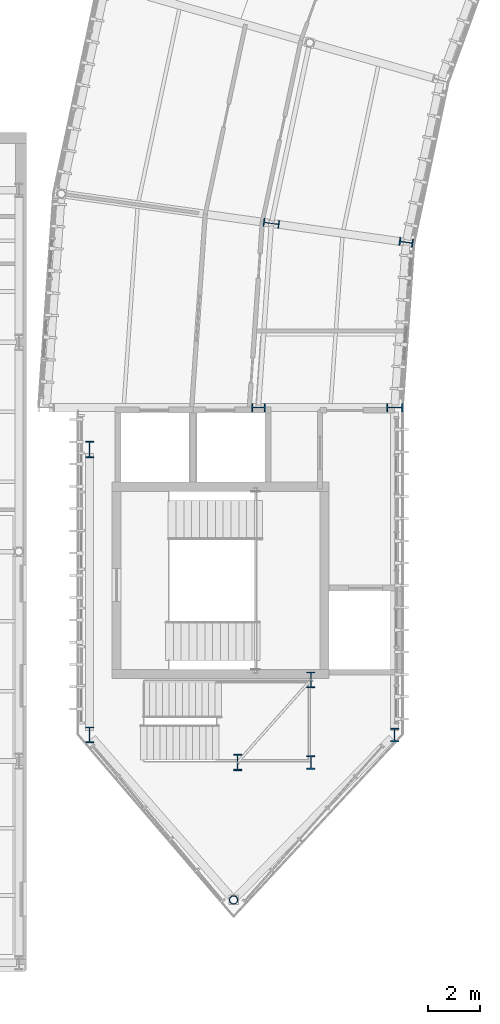
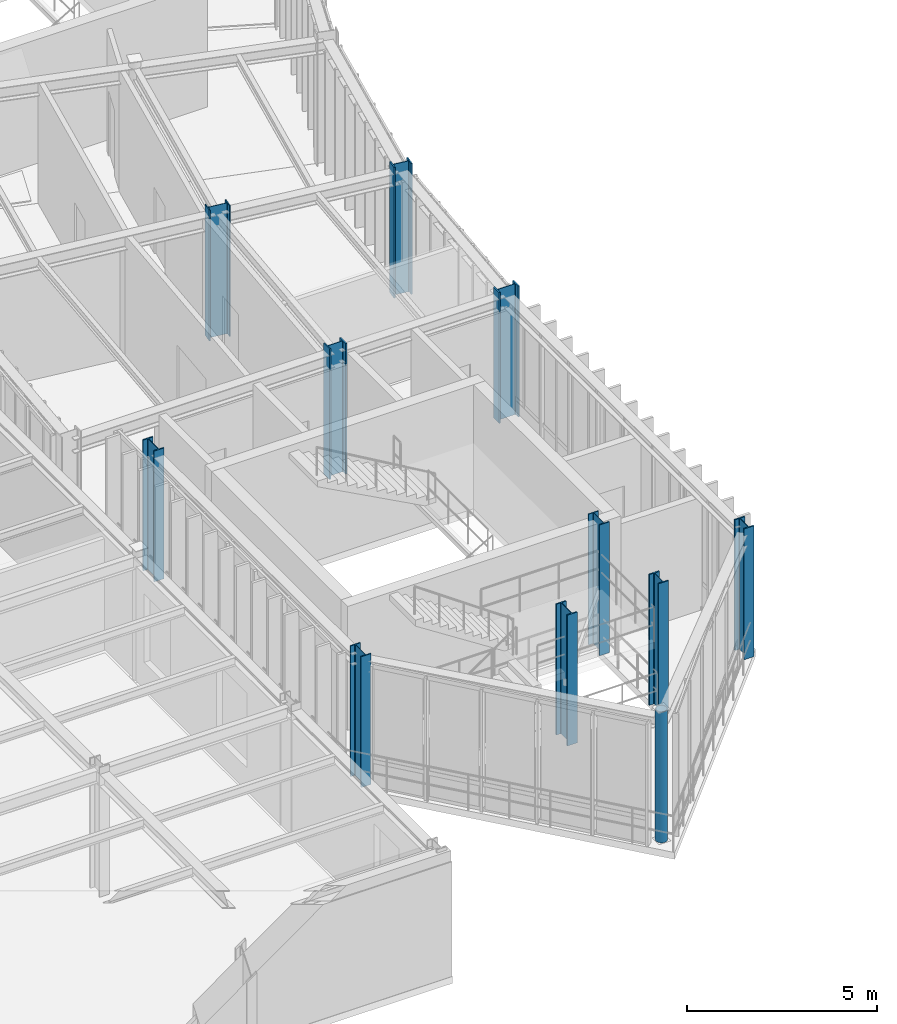
# One storey, part 2 of 148: 11 columns.
"""IFC4 building model written with IfcOpenShell, lengths in metres."""

from ifc_helpers import new_model, si_unit, direction, frame, origin, origin_2d, place, context, subcontext, project, spatial, hollow_circle, i_section, extrude, material, material_profile, profile_set, type_object, element, save


model = new_model("IFC4")

# Units and contexts
model_context = context("Model", 3, precision=1e-05, world=origin(), true_north=direction((0.0, 1.0)))
body_context = subcontext(model_context, "Body", "Model", "MODEL_VIEW")
ifc_project = project(units=[si_unit("LENGTHUNIT", "METRE"), si_unit("AREAUNIT", "SQUARE_METRE"), si_unit("VOLUMEUNIT", "CUBIC_METRE"), si_unit("PLANEANGLEUNIT", "RADIAN"), si_unit("MASSUNIT", "GRAM", prefix="KILO"), si_unit("THERMODYNAMICTEMPERATUREUNIT", "KELVIN"), si_unit("POWERUNIT", "WATT")], contexts=[model_context])

# Site, building, storey
site_placement = place(None, origin())
site = spatial("IfcSite", under=ifc_project, at=site_placement, CompositionType="ELEMENT")
building_placement = place(site_placement, origin())
building = spatial("IfcBuilding", under=site, at=building_placement, Name="Solvatero Civic Police Headquarters", CompositionType="ELEMENT")
storey_placement = place(building_placement, frame((0.0, 0.0, 5.10009765625)))
storey = spatial("IfcBuildingStorey", under=building, at=storey_placement, Name="L01", CompositionType="ELEMENT", Elevation=5.10009765625)

# Columns
ifc_material = material(Name="Steel S355", Category="steel")
ifc_material_profile_1 = material_profile(ifc_material, hollow_circle(Radius=0.161865234375, WallThickness=0.01611328125, at=origin_2d()), Name="CHS 323.9x16.0")
ifc_profile_set_1 = profile_set([ifc_material_profile_1], Name="Steel S355")
column_type_1 = type_object("IfcColumnType", Name="COL-ST-CHS324", PredefinedType="COLUMN", material=ifc_profile_set_1)
column_placement = place(storey_placement, frame((42.5, 7.199951171875, 0.0), z_axis=(0.0, 0.0, 1.0), x_axis=(1.0, 0.0, 0.0)))
element("IfcColumn", 1, at=column_placement, inside=storey, type_object=column_type_1, Name="Column PROW-TIP L01", PredefinedType="COLUMN", context=body_context, shape_type="SweptSolid", body=[
    extrude(hollow_circle(Radius=0.161865234375, WallThickness=0.01611328125, at=origin_2d()), origin(), (0.0, 0.0, 1.0), 4.199951171875),
])
ifc_material_profile_2 = material_profile(ifc_material, i_section(OverallWidth=0.300048828125, OverallDepth=0.60009765625, WebThickness=0.015380859375, FlangeThickness=0.030029296875, FilletRadius=0.027099609375, at=origin_2d()), Name="HEB 600")
ifc_profile_set_2 = profile_set([ifc_material_profile_2], Name="Steel S355")
column_type_2 = type_object("IfcColumnType", Name="COL-ST-HEB600", PredefinedType="COLUMN", material=ifc_profile_set_2)
for number, where, z_axis, x_axis, name in (
    (2, (43.94189453125, 33.03515625, 0.0), (0.0, 0.0, 1.0), (0.13917310096, 0.990268068742, 0.0), "Column ARC-S11-MID L01"),
    (3, (37.0, 13.5, 0.0), (0.0, 0.0, 1.0), (1.0, 0.0, 0.0), "Column PROW-SW L01"),
    (4, (45.449951171875, 15.60009765625, 0.0), (0.0, 0.0, 1.0), (1.0, 0.0, 0.0), "Column PRWS3 L01"),
):
    element("IfcColumn", number, at=place(storey_placement, frame(where, z_axis=z_axis, x_axis=x_axis)), inside=storey, type_object=column_type_2, Name=name, PredefinedType="COLUMN", context=body_context, shape_type="SweptSolid", body=[
        extrude(i_section(OverallWidth=0.300048828125, OverallDepth=0.60009765625, WebThickness=0.015380859375, FlangeThickness=0.030029296875, FilletRadius=0.027099609375, at=origin_2d()), origin(), (0.0, 0.0, 1.0), 4.199951171875),
    ])
ifc_material_profile_3 = material_profile(ifc_material, i_section(OverallWidth=0.305908203125, OverallDepth=0.52392578125, WebThickness=0.02099609375, FlangeThickness=0.0400390625, FilletRadius=0.027099609375, at=origin_2d()), Name="HEM 500")
ifc_profile_set_3 = profile_set([ifc_material_profile_3], Name="Steel S355")
column_type_3 = type_object("IfcColumnType", Name="COL-ST-HEM500", PredefinedType="COLUMN", material=ifc_profile_set_3)
for number, where, z_axis, x_axis, name in (
    (5, (49.09130859375, 32.3115234375, 0.0), (0.0, 0.0, 1.0), (0.13917310096, 0.990268068742, 0.0), "Column ARC-S11-IN L01"),
    (6, (43.449951171875, 26.0, 0.0), (0.0, 0.0, 1.0), (0.0, 1.0, 0.0), "Column ARC-S12-MID L01"),
    (7, (48.64990234375, 13.5, 0.0), (0.0, 0.0, 1.0), (1.0, 0.0, 0.0), "Column PROW-SE L01"),
    (8, (45.449951171875, 12.449951171875, 0.0), (0.0, 0.0, 1.0), (1.0, 0.0, 0.0), "Column PRWS2 L01"),
):
    element("IfcColumn", number, at=place(storey_placement, frame(where, z_axis=z_axis, x_axis=x_axis)), inside=storey, type_object=column_type_3, Name=name, PredefinedType="COLUMN", context=body_context, shape_type="SweptSolid", body=[
        extrude(i_section(OverallWidth=0.305908203125, OverallDepth=0.52392578125, WebThickness=0.02099609375, FlangeThickness=0.0400390625, FilletRadius=0.027099609375, at=origin_2d()), origin(), (0.0, 0.0, 1.0), 4.199951171875),
    ])
ifc_material_profile_4 = material_profile(ifc_material, i_section(OverallWidth=0.304931640625, OverallDepth=0.6201171875, WebThickness=0.02099609375, FlangeThickness=0.0400390625, FilletRadius=0.027099609375, at=origin_2d()), Name="HEM 600")
ifc_profile_set_4 = profile_set([ifc_material_profile_4], Name="Steel S355")
column_type_4 = type_object("IfcColumnType", Name="COL-ST-HEM600", PredefinedType="COLUMN", material=ifc_profile_set_4)
for number, where, z_axis, x_axis, name in (
    (9, (48.64990234375, 26.0, 0.0), (0.0, 0.0, 1.0), (0.0, 1.0, 0.0), "Column ARC-S12-IN L01"),
    (10, (37.0, 24.39990234375, 0.0), (0.0, 0.0, 1.0), (1.0, 0.0, 0.0), "Column PROW-NW L01"),
    (11, (42.64990234375, 12.449951171875, 0.0), (0.0, 0.0, 1.0), (1.0, 0.0, 0.0), "Column PRWS1 L01"),
):
    element("IfcColumn", number, at=place(storey_placement, frame(where, z_axis=z_axis, x_axis=x_axis)), inside=storey, type_object=column_type_4, Name=name, PredefinedType="COLUMN", context=body_context, shape_type="SweptSolid", body=[
        extrude(i_section(OverallWidth=0.304931640625, OverallDepth=0.6201171875, WebThickness=0.02099609375, FlangeThickness=0.0400390625, FilletRadius=0.027099609375, at=origin_2d()), origin(), (0.0, 0.0, 1.0), 4.199951171875),
    ])

save(model, "model.ifc")
